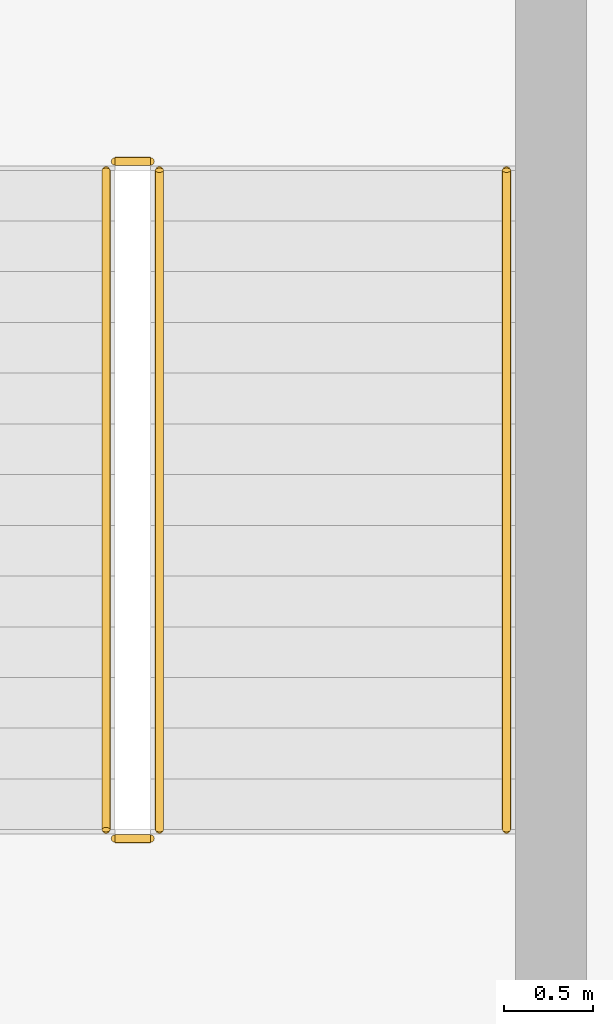
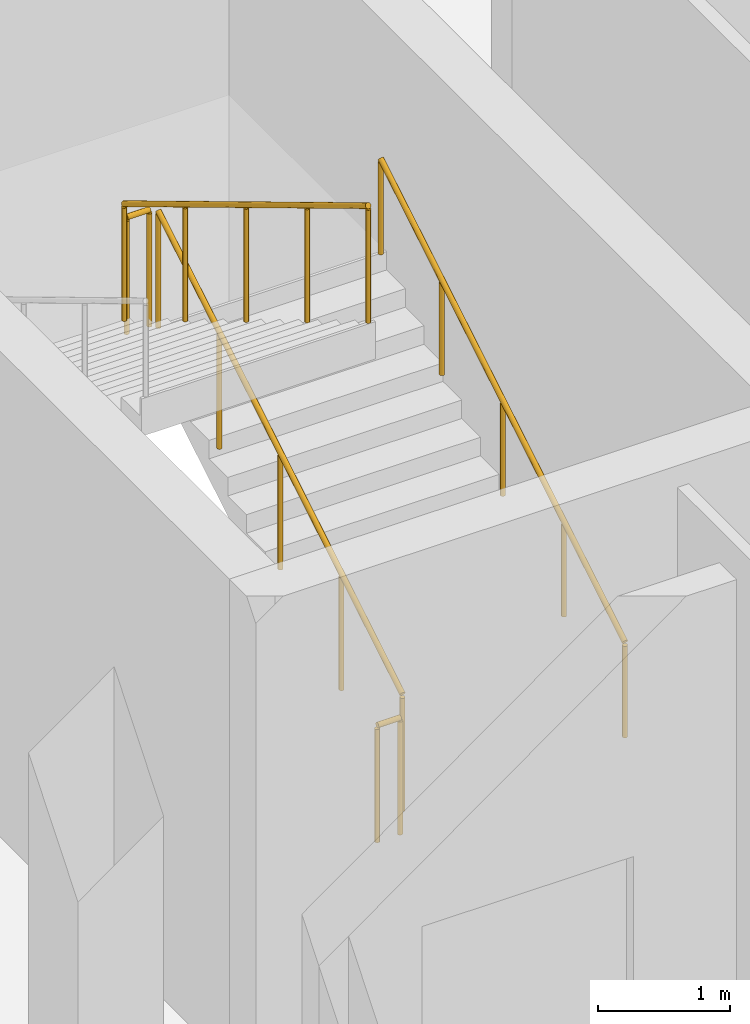
# One storey, part 100 of 100: 5 railings.
"""IFC4 building model written with IfcOpenShell, lengths in metres."""

from ifc_helpers import new_model, si_unit, direction, frame, origin, origin_2d, place, context, subcontext, project, spatial, circle, extrude, material, type_object, element, save


model = new_model("IFC4")

# Units and contexts
model_context = context("Model", 3, precision=1e-05, world=origin(), true_north=direction((0.0, 1.0)))
body_context = subcontext(model_context, "Body", "Model", "MODEL_VIEW")
ifc_project = project(units=[si_unit("LENGTHUNIT", "METRE"), si_unit("AREAUNIT", "SQUARE_METRE"), si_unit("VOLUMEUNIT", "CUBIC_METRE"), si_unit("PLANEANGLEUNIT", "RADIAN"), si_unit("MASSUNIT", "GRAM", prefix="KILO")], contexts=[model_context])

# Site, building, storey
site_placement = place(None, origin())
site = spatial("IfcSite", under=ifc_project, at=site_placement, CompositionType="ELEMENT")
building_placement = place(site_placement, origin())
building = spatial("IfcBuilding", under=site, at=building_placement, Name="Caelomonte Colonnade Arena", CompositionType="ELEMENT")
storey_placement = place(building_placement, origin())
storey = spatial("IfcBuildingStorey", under=building, at=storey_placement, Name="L00", CompositionType="ELEMENT", Elevation=0.0)

# Railings
ifc_material_1 = material(Name="Painted galvanized steel stair guard", Category="steel")
railing_type_1 = type_object("IfcRailingType", Name="INT-RL-GRD", PredefinedType="GUARDRAIL", material=ifc_material_1)
railing_1_placement = place(storey_placement, frame((157.699951171875, 127.25, 0.17138671875)))
element("IfcRailing", 1, at=railing_1_placement, inside=storey, type_object=railing_type_1, Name="L00 ST-06 stair guard 1", PredefinedType="GUARDRAIL", context=body_context, shape_type="SweptSolid", body=[
    extrude(circle(Radius=0.02392578125, at=origin_2d()), frame((0.0, 0.0, 1.076171875), z_axis=(0.0, 0.856934400257, 0.515425487977), x_axis=(-1.0, 0.0, 0.0)), (0.0, 0.0, 1.0), 4.32373046875),
    extrude(circle(Radius=0.02099609375, at=origin_2d()), origin(), (0.0, 0.0, 1.0), 1.048095703125),
    extrude(circle(Radius=0.02099609375, at=origin_2d()), frame((0.0, 0.92626953125, 0.55712890625)), (0.0, 0.0, 1.0), 1.048095703125),
    extrude(circle(Radius=0.02099609375, at=origin_2d()), frame((0.0, 1.8525390625, 1.1142578125)), (0.0, 0.0, 1.0), 1.048095703125),
    extrude(circle(Radius=0.02099609375, at=origin_2d()), frame((0.0, 2.77880859375, 1.67138671875)), (0.0, 0.0, 1.0), 1.048095703125),
    extrude(circle(Radius=0.02099609375, at=origin_2d()), frame((0.0, 3.705078125, 2.228515625)), (0.0, 0.0, 1.0), 1.048095703125),
])
railing_2_placement = place(storey_placement, frame((157.64990234375, 131.0048828125, 2.39990234375)))
element("IfcRailing", 2, at=railing_2_placement, inside=storey, type_object=railing_type_1, Name="L00 ST-06 stair guard 2", PredefinedType="GUARDRAIL", context=body_context, shape_type="SweptSolid", body=[
    extrude(circle(Radius=0.02392578125, at=origin_2d()), frame((0.0, 0.0, 1.076171875), z_axis=(-1.0, 0.0, 0.0), x_axis=(0.0, -1.0, 0.0)), (0.0, 0.0, 1.0), 0.199951171875),
    extrude(circle(Radius=0.02099609375, at=origin_2d()), origin(), (0.0, 0.0, 1.0), 1.048095703125),
    extrude(circle(Radius=0.02099609375, at=origin_2d()), frame((-0.199951171875, 0.0, 0.0)), (0.0, 0.0, 1.0), 1.048095703125),
])
railing_3_placement = place(storey_placement, frame((157.39990234375, 130.955078125, 2.571533203125)))
element("IfcRailing", 3, at=railing_3_placement, inside=storey, type_object=railing_type_1, Name="L00 ST-06 stair guard 3", PredefinedType="GUARDRAIL", context=body_context, shape_type="SweptSolid", body=[
    extrude(circle(Radius=0.02392578125, at=origin_2d()), frame((0.0, 0.0, 1.076171875), z_axis=(0.0, -0.856934400257, 0.515425487977), x_axis=(1.0, 0.0, 0.0)), (0.0, 0.0, 1.0), 4.32373046875),
    extrude(circle(Radius=0.02099609375, at=origin_2d()), origin(), (0.0, 0.0, 1.0), 1.048095703125),
    extrude(circle(Radius=0.02099609375, at=origin_2d()), frame((0.0, -0.92626953125, 0.55712890625)), (0.0, 0.0, 1.0), 1.048095703125),
    extrude(circle(Radius=0.02099609375, at=origin_2d()), frame((0.0, -1.8525390625, 1.1142578125)), (0.0, 0.0, 1.0), 1.048095703125),
    extrude(circle(Radius=0.02099609375, at=origin_2d()), frame((0.0, -2.77880859375, 1.67138671875)), (0.0, 0.0, 1.0), 1.048095703125),
    extrude(circle(Radius=0.02099609375, at=origin_2d()), frame((0.0, -3.705078125, 2.228515625)), (0.0, 0.0, 1.0), 1.048095703125),
])
railing_4_placement = place(storey_placement, frame((157.64990234375, 127.199951171875, 0.0)))
element("IfcRailing", 4, at=railing_4_placement, inside=storey, type_object=railing_type_1, Name="L00 ST-06 stair guard 4", PredefinedType="GUARDRAIL", context=body_context, shape_type="SweptSolid", body=[
    extrude(circle(Radius=0.02392578125, at=origin_2d()), frame((0.0, 0.0, 1.076171875), z_axis=(-1.0, 0.0, 0.0), x_axis=(0.0, -1.0, 0.0)), (0.0, 0.0, 1.0), 0.199951171875),
    extrude(circle(Radius=0.02099609375, at=origin_2d()), origin(), (0.0, 0.0, 1.0), 1.048095703125),
    extrude(circle(Radius=0.02099609375, at=origin_2d()), frame((-0.199951171875, 0.0, 0.0)), (0.0, 0.0, 1.0), 1.048095703125),
])
ifc_material_2 = material(Name="Brushed stainless steel stair handrail", Category="steel")
railing_type_2 = type_object("IfcRailingType", Name="INT-RL-HR", PredefinedType="HANDRAIL", material=ifc_material_2)
railing_5_placement = place(storey_placement, frame((159.64990234375, 127.25, 0.17138671875)))
element("IfcRailing", 5, at=railing_5_placement, inside=storey, type_object=railing_type_2, Name="L00 ST-06 stair handrail 1", PredefinedType="HANDRAIL", context=body_context, shape_type="SweptSolid", body=[
    extrude(circle(Radius=0.02392578125, at=origin_2d()), frame((0.0, 0.0, 0.8759765625), z_axis=(0.0, 0.856934400257, 0.515425487977), x_axis=(-1.0, 0.0, 0.0)), (0.0, 0.0, 1.0), 4.32373046875),
    extrude(circle(Radius=0.02099609375, at=origin_2d()), origin(), (0.0, 0.0, 1.0), 0.847900390625),
    extrude(circle(Radius=0.02099609375, at=origin_2d()), frame((0.0, 0.92626953125, 0.55712890625)), (0.0, 0.0, 1.0), 0.847900390625),
    extrude(circle(Radius=0.02099609375, at=origin_2d()), frame((0.0, 1.8525390625, 1.1142578125)), (0.0, 0.0, 1.0), 0.847900390625),
    extrude(circle(Radius=0.02099609375, at=origin_2d()), frame((0.0, 2.77880859375, 1.67138671875)), (0.0, 0.0, 1.0), 0.847900390625),
    extrude(circle(Radius=0.02099609375, at=origin_2d()), frame((0.0, 3.705078125, 2.228515625)), (0.0, 0.0, 1.0), 0.847900390625),
])

save(model, "model.ifc")
